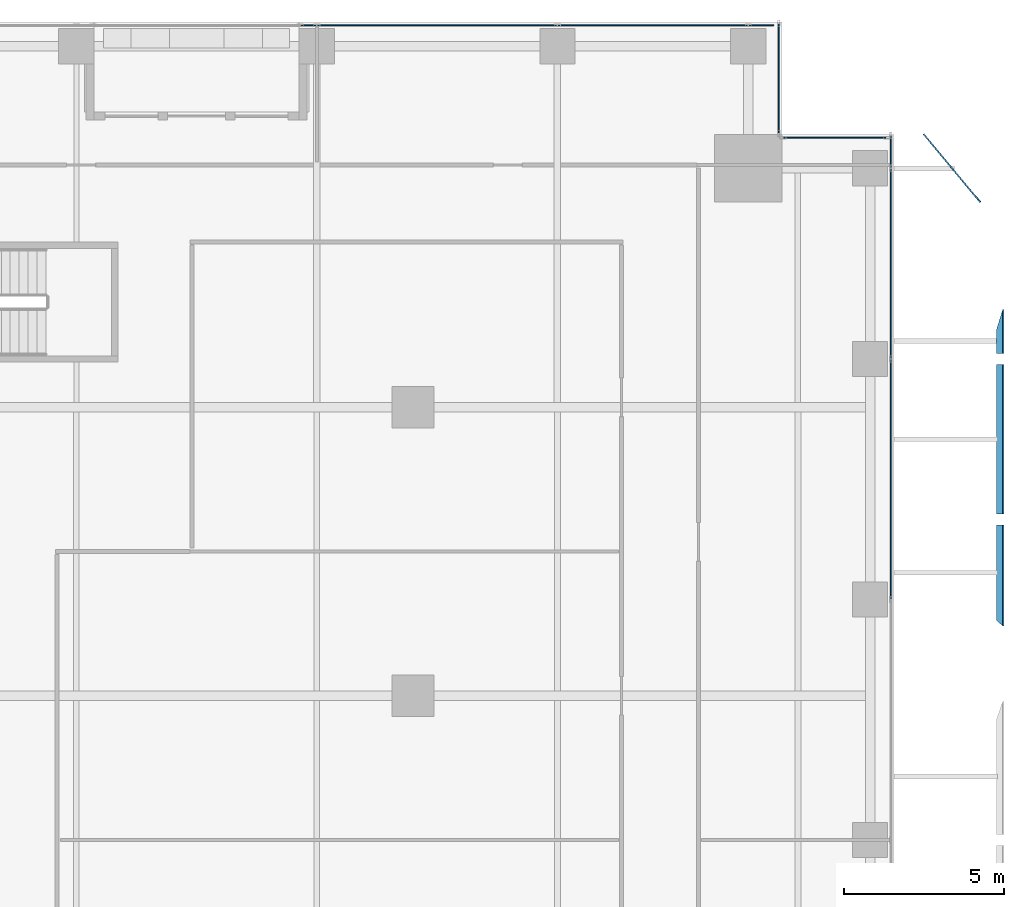
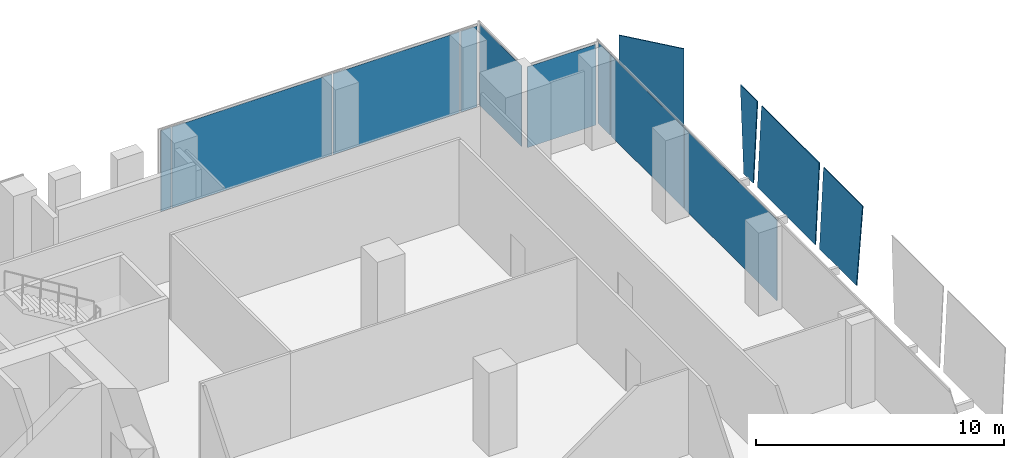
# One storey, part 26 of 33: 13 plates, 4 elements without a shape of their own.
"""IFC4 building model written with IfcOpenShell, lengths in metres."""

from ifc_helpers import new_model, si_unit, direction, frame, origin, origin_2d, place, context, subcontext, project, spatial, polyline, rectangle, outline, extrude, source, transform, mapped, material, layer, layer_set, type_object, element, aggregate, save


model = new_model("IFC4")

# Units and contexts
model_context = context("Model", 3, precision=1e-05, world=origin(), true_north=direction((0.0, 1.0)))
body_context = subcontext(model_context, "Body", "Model", "MODEL_VIEW")
ifc_project = project(units=[si_unit("LENGTHUNIT", "METRE"), si_unit("AREAUNIT", "SQUARE_METRE"), si_unit("VOLUMEUNIT", "CUBIC_METRE"), si_unit("PLANEANGLEUNIT", "RADIAN"), si_unit("MASSUNIT", "GRAM", prefix="KILO")], contexts=[model_context])

# Site, building, storey
site_placement = place(None, origin())
site = spatial("IfcSite", under=ifc_project, at=site_placement, CompositionType="ELEMENT")
building_placement = place(site_placement, origin())
building = spatial("IfcBuilding", under=site, at=building_placement, Name="Khomas Fold Tower", CompositionType="ELEMENT")
storey_placement = place(building_placement, frame((0.0, 0.0, 149.89990234375)))
storey = spatial("IfcBuildingStorey", under=building, at=storey_placement, Name="L32", CompositionType="ELEMENT", Elevation=149.89990234375)

# Plates
ifc_material_1 = material(Name="Clear laminated glass", Category="glass")
ifc_layer_1 = layer(ifc_material_1, 0.0400390625)
ifc_layer_set_1 = layer_set([ifc_layer_1], Name="Clear laminated glass")
plate_type_1 = type_object("IfcPlateType", Name="SK-Clear laminated glass leaf", PredefinedType="SHEET", material=ifc_layer_set_1)
plate_1_placement = place(storey_placement, frame((55.697509765625, 33.846435546875, 0.0), z_axis=(-0.998875389043, 0.0, 0.047412626625), x_axis=(0.047367910907, -0.043420584998, 0.997933331348)))
element("IfcPlate", 1, at=plate_1_placement, inside=storey, type_object=plate_type_1, Name="OUTER SKIN glass L32 EG104-7", PredefinedType="SHEET", context=body_context, shape_type="SweptSolid", body=[
    extrude(outline(polyline([(0.0, 0.0), (3.9583759640188263, -2.7755575615628914e-17), (3.8213615448049434, 3.152541551634704), (-0.12955150616733976, 2.9808286500988563), (0.0, 0.0)])), origin(), (0.0, 0.0, -1.0), 0.0400390625),
])
plate_2_placement = place(storey_placement, frame((55.697509765625, 37.169921875, 0.0), z_axis=(-0.998875389043, 0.0, 0.047412626625), x_axis=(0.047412626625, 0.0, 0.998875389043)))
element("IfcPlate", 2, at=plate_2_placement, inside=storey, type_object=plate_type_1, Name="OUTER SKIN glass L32 EG105-8", PredefinedType="SHEET", context=body_context, shape_type="SweptSolid", body=[
    extrude(outline(polyline([(0.0, 0.0), (3.9546427470628713, 0.0), (3.9546427470628713, 4.66015625), (0.0, 4.66015625), (0.0, 0.0)])), origin(), (0.0, 0.0, -1.0), 0.0400390625),
])
plate_3_placement = place(storey_placement, frame((55.697509765625, 42.938232421875, 0.0), z_axis=(-0.998875389043, 0.0, 0.047412626625), x_axis=(0.0, -1.0, 0.0)))
element("IfcPlate", 3, at=plate_3_placement, inside=storey, type_object=plate_type_1, Name="OUTER SKIN glass L32 EG106-9", PredefinedType="SHEET", context=body_context, shape_type="SweptSolid", body=[
    extrude(outline(polyline([(0.0, 0.0), (0.768310546875, 0.0), (0.768310546875, 3.9546427470628718), (-0.60302734375, 3.9546427470628718), (0.0, 0.0)])), origin(), (0.0, 0.0, -1.0), 0.0400390625),
])
plate_4_placement = place(storey_placement, frame((55.175048828125, 46.8701171875, 0.0), z_axis=(-0.768177972883, -0.640236364148, 0.0), x_axis=(0.0, 0.0, 1.0)))
element("IfcPlate", 4, at=plate_4_placement, inside=storey, type_object=plate_type_1, Name="OUTER SKIN glass L32 EG107-10", PredefinedType="SHEET", context=body_context, shape_type="SweptSolid", body=[
    extrude(outline(polyline([(0.0, 0.0), (3.9501953125, 0.0), (3.9501953125, 2.7726423923708285), (0.0, 2.7726423923708285), (0.0, 0.0)])), origin(), (0.0, 0.0, -1.0), 0.0400390625),
])

# Curtain wall, plate
ifc_material_2 = material(Name="Aluminium framed double glazing", Category="aluminium")
curtain_wall_type = type_object("IfcCurtainWallType", Name="SK-Unitised clear-glass wall, growing floors CW1", PredefinedType="NOTDEFINED", material=ifc_material_2)
curtain_wall_1_placement = place(storey_placement, origin())
curtain_wall_1 = element("IfcCurtainWall", 5, at=curtain_wall_1_placement, inside=storey, type_object=curtain_wall_type, Name="CW1 run L32 06-0", PredefinedType="NOTDEFINED")
ifc_material_3 = material(Name="Clear double glazed unit")
ifc_layer_2 = layer(ifc_material_3, 0.031982421875)
ifc_layer_set_2 = layer_set([ifc_layer_2], Name="Clear double glazed unit")
plate_type_2 = type_object("IfcPlateType", Name="SK-Unitised clear-glass wall, growing floors glass panel CW1-P", PredefinedType="CURTAIN_PANEL", material=ifc_layer_set_2)
shared_shape_1 = source(origin(), body_context, "Body", "SweptSolid", [
    extrude(rectangle(XDim=0.760009765625, YDim=0.031982421875, at=origin_2d()), origin(), (0.0, 0.0, 1.0), 3.97998046875),
])
plate_5_placement = place(storey_placement, frame((48.360107421875, 52.39990234375, 0.0), z_axis=(0.0, 0.0, 1.0), x_axis=(-1.0, 0.0, 0.0)))
plate_5 = element("IfcPlate", 6, at=plate_5_placement, type_object=plate_type_2, Name="CW1 glass panel 1", PredefinedType="CURTAIN_PANEL", context=body_context, shape_type="MappedRepresentation", body=[
    mapped(shared_shape_1, transform((0.0, 0.0, 0.0))),
])

curtain_wall_2_placement = place(storey_placement, origin())
curtain_wall_2 = element("IfcCurtainWall", 7, at=curtain_wall_2_placement, inside=storey, type_object=curtain_wall_type, Name="CW1 run L32 03-0", PredefinedType="NOTDEFINED")
shared_shape_2 = source(origin(), body_context, "Body", "SweptSolid", [
    extrude(rectangle(XDim=5.889892578125, YDim=0.031982421875, at=origin_2d()), origin(), (0.0, 0.0, 1.0), 3.97998046875),
])
plate_6_placement = place(storey_placement, frame((52.39990234375, 44.97509765625, 0.0), z_axis=(0.0, 0.0, 1.0), x_axis=(0.0, 1.0, 0.0)))
plate_6 = element("IfcPlate", 8, at=plate_6_placement, type_object=plate_type_2, Name="CW1 glass panel 7", PredefinedType="CURTAIN_PANEL", context=body_context, shape_type="MappedRepresentation", body=[
    mapped(shared_shape_2, transform((0.0, 0.0, 0.0))),
])

# Plate
plate_7_placement = place(storey_placement, frame((44.97509765625, 52.39990234375, 0.0), z_axis=(0.0, 0.0, 1.0), x_axis=(-1.0, 0.0, 0.0)))
plate_7 = element("IfcPlate", 9, at=plate_7_placement, type_object=plate_type_2, Name="CW1 glass panel 2", PredefinedType="CURTAIN_PANEL", context=body_context, shape_type="MappedRepresentation", body=[
    mapped(shared_shape_2, transform((0.0, 0.0, 0.0))),
])

shared_shape_3 = source(origin(), body_context, "Body", "SweptSolid", [
    extrude(rectangle(XDim=7.43994140625, YDim=0.031982421875, at=origin_2d()), origin(), (0.0, 0.0, 1.0), 3.97998046875),
])
plate_8_placement = place(storey_placement, frame((52.39990234375, 38.25, 0.0), z_axis=(0.0, 0.0, 1.0), x_axis=(0.0, 1.0, 0.0)))
plate_8 = element("IfcPlate", 10, at=plate_8_placement, type_object=plate_type_2, Name="CW1 glass panel 6", PredefinedType="CURTAIN_PANEL", context=body_context, shape_type="MappedRepresentation", body=[
    mapped(shared_shape_3, transform((0.0, 0.0, 0.0))),
])

plate_9_placement = place(storey_placement, frame((38.25, 52.39990234375, 0.0), z_axis=(0.0, 0.0, 1.0), x_axis=(-1.0, 0.0, 0.0)))
plate_9 = element("IfcPlate", 11, at=plate_9_placement, type_object=plate_type_2, Name="CW1 glass panel 3", PredefinedType="CURTAIN_PANEL", context=body_context, shape_type="MappedRepresentation", body=[
    mapped(shared_shape_3, transform((0.0, 0.0, 0.0))),
])

shared_shape_4 = source(origin(), body_context, "Body", "SweptSolid", [
    extrude(rectangle(XDim=0.9599609375, YDim=0.031982421875, at=origin_2d()), origin(), (0.0, 0.0, 1.0), 3.97998046875),
])
plate_10_placement = place(storey_placement, frame((52.39990234375, 48.4599609375, 0.0), z_axis=(0.0, 0.0, 1.0), x_axis=(0.0, 1.0, 0.0)))
plate_10 = element("IfcPlate", 12, at=plate_10_placement, type_object=plate_type_2, Name="CW1 glass panel 8", PredefinedType="CURTAIN_PANEL", context=body_context, shape_type="MappedRepresentation", body=[
    mapped(shared_shape_4, transform((0.0, 0.0, 0.0))),
])

aggregate(curtain_wall_2, [plate_8, plate_6, plate_10])

# Curtain wall, plate
curtain_wall_3_placement = place(storey_placement, origin())
curtain_wall_3 = element("IfcCurtainWall", 13, at=curtain_wall_3_placement, inside=storey, type_object=curtain_wall_type, Name="CW1 corner return L32 04", PredefinedType="NOTDEFINED")
shared_shape_5 = source(origin(), body_context, "Body", "SweptSolid", [
    extrude(rectangle(XDim=3.179931640625, YDim=0.031982421875, at=origin_2d()), origin(), (0.0, 0.0, 1.0), 3.97998046875),
])
plate_11_placement = place(storey_placement, frame((50.64990234375, 48.89990234375, 0.0), z_axis=(0.0, 0.0, 1.0), x_axis=(-1.0, 0.0, 0.0)))
plate_11 = element("IfcPlate", 14, at=plate_11_placement, type_object=plate_type_2, Name="CW1 glass panel 1", PredefinedType="CURTAIN_PANEL", context=body_context, shape_type="MappedRepresentation", body=[
    mapped(shared_shape_5, transform((0.0, 0.0, 0.0))),
])
aggregate(curtain_wall_3, [plate_11])

curtain_wall_4_placement = place(storey_placement, origin())
curtain_wall_4 = element("IfcCurtainWall", 15, at=curtain_wall_4_placement, inside=storey, type_object=curtain_wall_type, Name="CW1 corner return L32 05", PredefinedType="NOTDEFINED")
shared_shape_6 = source(origin(), body_context, "Body", "SweptSolid", [
    extrude(rectangle(XDim=3.3798828125, YDim=0.031982421875, at=origin_2d()), origin(), (0.0, 0.0, 1.0), 3.97998046875),
])
plate_12_placement = place(storey_placement, frame((48.89990234375, 50.75, 0.0), z_axis=(0.0, 0.0, 1.0), x_axis=(0.0, 1.0, 0.0)))
plate_12 = element("IfcPlate", 16, at=plate_12_placement, type_object=plate_type_2, Name="CW1 glass panel 1", PredefinedType="CURTAIN_PANEL", context=body_context, shape_type="MappedRepresentation", body=[
    mapped(shared_shape_6, transform((0.0, 0.0, 0.0))),
])
aggregate(curtain_wall_4, [plate_12])

# Plate
shared_shape_7 = source(origin(), body_context, "Body", "SweptSolid", [
    extrude(rectangle(XDim=0.4599609375, YDim=0.031982421875, at=origin_2d()), origin(), (0.0, 0.0, 1.0), 3.97998046875),
])
plate_13_placement = place(storey_placement, frame((34.239990234375, 52.39990234375, 0.0), z_axis=(0.0, 0.0, 1.0), x_axis=(-1.0, 0.0, 0.0)))
plate_13 = element("IfcPlate", 17, at=plate_13_placement, type_object=plate_type_2, Name="CW1 glass panel 4", PredefinedType="CURTAIN_PANEL", context=body_context, shape_type="MappedRepresentation", body=[
    mapped(shared_shape_7, transform((0.0, 0.0, 0.0))),
])

aggregate(curtain_wall_1, [plate_5, plate_7, plate_9, plate_13])

save(model, "model.ifc")
